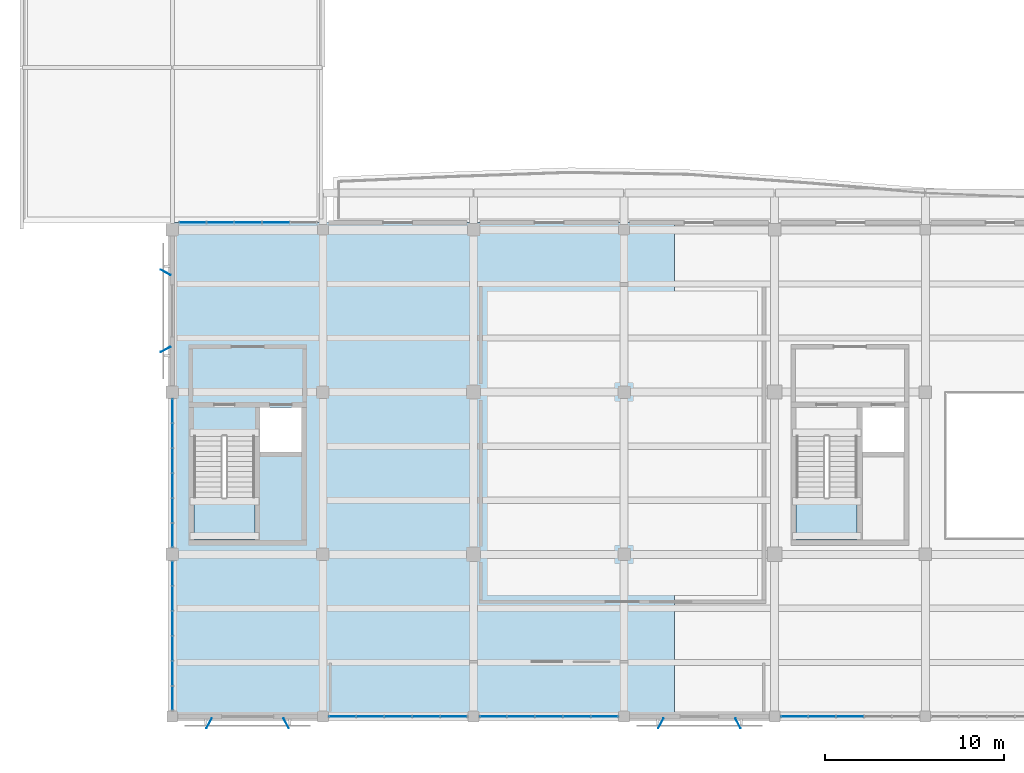
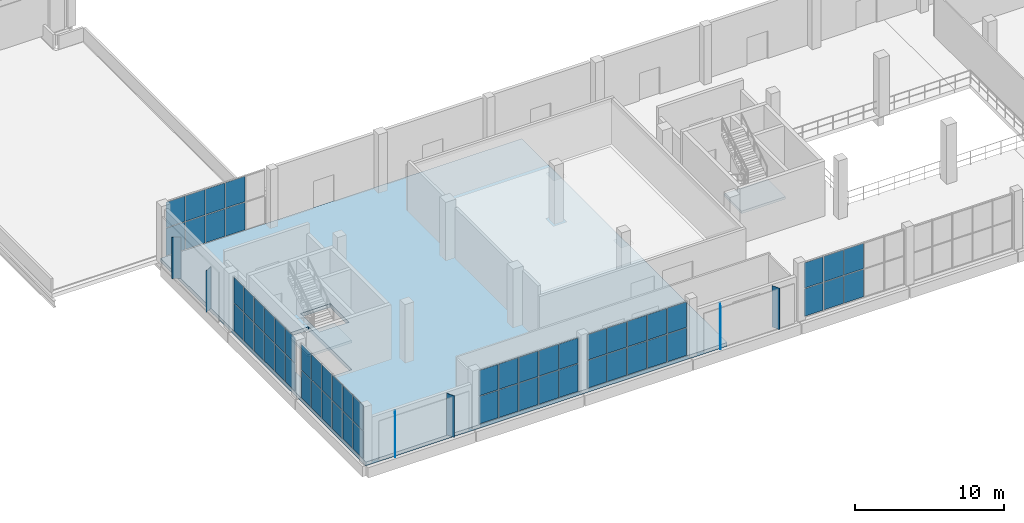
# One storey, part 42 of 80: 64 plates, 3 slabs, 8 elements without a shape of their own.
"""IFC4 building model written with IfcOpenShell, lengths in metres."""

from ifc_helpers import new_model, si_unit, direction, frame, origin, origin_2d, place, context, subcontext, project, spatial, polyline, rectangle, outline, extrude, material, layer, layer_set, type_object, element, aggregate, save


model = new_model("IFC4")

# Units and contexts
model_context = context("Model", 3, precision=1e-05, world=origin(), true_north=direction((0.0, 1.0)))
body_context = subcontext(model_context, "Body", "Model", "MODEL_VIEW")
ifc_project = project(units=[si_unit("LENGTHUNIT", "METRE"), si_unit("AREAUNIT", "SQUARE_METRE"), si_unit("VOLUMEUNIT", "CUBIC_METRE"), si_unit("PLANEANGLEUNIT", "RADIAN"), si_unit("MASSUNIT", "GRAM", prefix="KILO")], contexts=[model_context])

# Site, building, storey
site_placement = place(None, origin())
site = spatial("IfcSite", under=ifc_project, at=site_placement, CompositionType="ELEMENT")
building_placement = place(site_placement, origin())
building = spatial("IfcBuilding", under=site, at=building_placement, Name="Khurvash Pelagic Aquarium", CompositionType="ELEMENT")
storey_placement = place(building_placement, frame((0.0, 0.0, 10.800048828125)))
storey = spatial("IfcBuildingStorey", under=building, at=storey_placement, Name="L02", CompositionType="ELEMENT", Elevation=10.800048828125)

# Curtain wall, plates
ifc_material_1 = material(Name="Anodised aluminium and low-E laminated glass", Category="aluminium")
curtain_wall_type_1 = type_object("IfcCurtainWallType", Name="CW-03", PredefinedType="USERDEFINED", material=ifc_material_1)
curtain_wall_1_placement = place(storey_placement, origin())
curtain_wall_1 = element("IfcCurtainWall", 1, at=curtain_wall_1_placement, inside=storey, type_object=curtain_wall_type_1, Name="L02 Facade Unitised Curtain Wall CW-03 0149", ObjectType="UNITISED CURTAIN WALL", PredefinedType="USERDEFINED")
ifc_material_2 = material(Name="Low-E laminated double glazing", Category="glass")
ifc_layer_1 = layer(ifc_material_2, 0.028076171875)
ifc_layer_set_1 = layer_set([ifc_layer_1], Name="Low-E laminated double glazing")
plate_type_1 = type_object("IfcPlateType", Name="CG-03", PredefinedType="CURTAIN_PANEL", material=ifc_layer_set_1)
plate_1_placement = place(storey_placement, frame((25.199951171875, 19.635009765625, 0.06005859375), z_axis=(0.0, 0.0, 1.0), x_axis=(0.0, -1.0, 0.0)))
plate_1 = element("IfcPlate", 2, at=plate_1_placement, type_object=plate_type_1, Name="CW-03 panel 1.1", PredefinedType="CURTAIN_PANEL", context=body_context, shape_type="SweptSolid", body=[
    extrude(rectangle(XDim=1.300048828125, YDim=0.028076171875, at=origin_2d()), origin(), (0.0, 0.0, 1.0), 2.25),
])
plate_2_placement = place(storey_placement, frame((25.199951171875, 19.635009765625, 2.3701171875), z_axis=(0.0, 0.0, 1.0), x_axis=(0.0, -1.0, 0.0)))
plate_2 = element("IfcPlate", 3, at=plate_2_placement, type_object=plate_type_1, Name="CW-03 panel 1.2", PredefinedType="CURTAIN_PANEL", context=body_context, shape_type="SweptSolid", body=[
    extrude(rectangle(XDim=1.300048828125, YDim=0.028076171875, at=origin_2d()), origin(), (0.0, 0.0, 1.0), 2.070068359375),
])
plate_3_placement = place(storey_placement, frame((25.199951171875, 18.260009765625, 0.06005859375), z_axis=(0.0, 0.0, 1.0), x_axis=(0.0, -1.0, 0.0)))
plate_3 = element("IfcPlate", 4, at=plate_3_placement, type_object=plate_type_1, Name="CW-03 panel 2.1", PredefinedType="CURTAIN_PANEL", context=body_context, shape_type="SweptSolid", body=[
    extrude(rectangle(XDim=1.330078125, YDim=0.028076171875, at=origin_2d()), origin(), (0.0, 0.0, 1.0), 2.25),
])
plate_4_placement = place(storey_placement, frame((25.199951171875, 18.260009765625, 2.3701171875), z_axis=(0.0, 0.0, 1.0), x_axis=(0.0, -1.0, 0.0)))
plate_4 = element("IfcPlate", 5, at=plate_4_placement, type_object=plate_type_1, Name="CW-03 panel 2.2", PredefinedType="CURTAIN_PANEL", context=body_context, shape_type="SweptSolid", body=[
    extrude(rectangle(XDim=1.330078125, YDim=0.028076171875, at=origin_2d()), origin(), (0.0, 0.0, 1.0), 2.070068359375),
])
plate_5_placement = place(storey_placement, frame((25.199951171875, 16.8701171875, 0.06005859375), z_axis=(0.0, 0.0, 1.0), x_axis=(0.0, -1.0, 0.0)))
plate_5 = element("IfcPlate", 6, at=plate_5_placement, type_object=plate_type_1, Name="CW-03 panel 3.1", PredefinedType="CURTAIN_PANEL", context=body_context, shape_type="SweptSolid", body=[
    extrude(rectangle(XDim=1.330078125, YDim=0.028076171875, at=origin_2d()), origin(), (0.0, 0.0, 1.0), 2.25),
])
plate_6_placement = place(storey_placement, frame((25.199951171875, 16.8701171875, 2.3701171875), z_axis=(0.0, 0.0, 1.0), x_axis=(0.0, -1.0, 0.0)))
plate_6 = element("IfcPlate", 7, at=plate_6_placement, type_object=plate_type_1, Name="CW-03 panel 3.2", PredefinedType="CURTAIN_PANEL", context=body_context, shape_type="SweptSolid", body=[
    extrude(rectangle(XDim=1.330078125, YDim=0.028076171875, at=origin_2d()), origin(), (0.0, 0.0, 1.0), 2.070068359375),
])
plate_7_placement = place(storey_placement, frame((25.199951171875, 15.47998046875, 0.06005859375), z_axis=(0.0, 0.0, 1.0), x_axis=(0.0, -1.0, 0.0)))
plate_7 = element("IfcPlate", 8, at=plate_7_placement, type_object=plate_type_1, Name="CW-03 panel 4.1", PredefinedType="CURTAIN_PANEL", context=body_context, shape_type="SweptSolid", body=[
    extrude(rectangle(XDim=1.330078125, YDim=0.028076171875, at=origin_2d()), origin(), (0.0, 0.0, 1.0), 2.25),
])
plate_8_placement = place(storey_placement, frame((25.199951171875, 15.47998046875, 2.3701171875), z_axis=(0.0, 0.0, 1.0), x_axis=(0.0, -1.0, 0.0)))
plate_8 = element("IfcPlate", 9, at=plate_8_placement, type_object=plate_type_1, Name="CW-03 panel 4.2", PredefinedType="CURTAIN_PANEL", context=body_context, shape_type="SweptSolid", body=[
    extrude(rectangle(XDim=1.330078125, YDim=0.028076171875, at=origin_2d()), origin(), (0.0, 0.0, 1.0), 2.070068359375),
])
plate_9_placement = place(storey_placement, frame((25.199951171875, 14.090087890625, 0.06005859375), z_axis=(0.0, 0.0, 1.0), x_axis=(0.0, -1.0, 0.0)))
plate_9 = element("IfcPlate", 10, at=plate_9_placement, type_object=plate_type_1, Name="CW-03 panel 5.1", PredefinedType="CURTAIN_PANEL", context=body_context, shape_type="SweptSolid", body=[
    extrude(rectangle(XDim=1.330078125, YDim=0.028076171875, at=origin_2d()), origin(), (0.0, 0.0, 1.0), 2.25),
])
plate_10_placement = place(storey_placement, frame((25.199951171875, 14.090087890625, 2.3701171875), z_axis=(0.0, 0.0, 1.0), x_axis=(0.0, -1.0, 0.0)))
plate_10 = element("IfcPlate", 11, at=plate_10_placement, type_object=plate_type_1, Name="CW-03 panel 5.2", PredefinedType="CURTAIN_PANEL", context=body_context, shape_type="SweptSolid", body=[
    extrude(rectangle(XDim=1.330078125, YDim=0.028076171875, at=origin_2d()), origin(), (0.0, 0.0, 1.0), 2.070068359375),
])
plate_11_placement = place(storey_placement, frame((25.199951171875, 12.715087890625, 0.06005859375), z_axis=(0.0, 0.0, 1.0), x_axis=(0.0, -1.0, 0.0)))
plate_11 = element("IfcPlate", 12, at=plate_11_placement, type_object=plate_type_1, Name="CW-03 panel 6.1", PredefinedType="CURTAIN_PANEL", context=body_context, shape_type="SweptSolid", body=[
    extrude(rectangle(XDim=1.300048828125, YDim=0.028076171875, at=origin_2d()), origin(), (0.0, 0.0, 1.0), 2.25),
])
plate_12_placement = place(storey_placement, frame((25.199951171875, 12.715087890625, 2.3701171875), z_axis=(0.0, 0.0, 1.0), x_axis=(0.0, -1.0, 0.0)))
plate_12 = element("IfcPlate", 13, at=plate_12_placement, type_object=plate_type_1, Name="CW-03 panel 6.2", PredefinedType="CURTAIN_PANEL", context=body_context, shape_type="SweptSolid", body=[
    extrude(rectangle(XDim=1.300048828125, YDim=0.028076171875, at=origin_2d()), origin(), (0.0, 0.0, 1.0), 2.070068359375),
])
aggregate(curtain_wall_1, [plate_1, plate_2, plate_3, plate_4, plate_5, plate_6, plate_7, plate_8, plate_9, plate_10, plate_11, plate_12])

curtain_wall_2_placement = place(storey_placement, origin())
curtain_wall_2 = element("IfcCurtainWall", 14, at=curtain_wall_2_placement, inside=storey, type_object=curtain_wall_type_1, Name="L02 Facade Unitised Curtain Wall CW-03 0150", ObjectType="UNITISED CURTAIN WALL", PredefinedType="USERDEFINED")
plate_13_placement = place(storey_placement, frame((25.199951171875, 10.580810546875, 0.06005859375), z_axis=(0.0, 0.0, 1.0), x_axis=(0.0, -1.0, 0.0)))
plate_13 = element("IfcPlate", 15, at=plate_13_placement, type_object=plate_type_1, Name="CW-03 panel 1.1", PredefinedType="CURTAIN_PANEL", context=body_context, shape_type="SweptSolid", body=[
    extrude(rectangle(XDim=1.308349609375, YDim=0.028076171875, at=origin_2d()), origin(), (0.0, 0.0, 1.0), 2.25),
])
plate_14_placement = place(storey_placement, frame((25.199951171875, 10.580810546875, 2.3701171875), z_axis=(0.0, 0.0, 1.0), x_axis=(0.0, -1.0, 0.0)))
plate_14 = element("IfcPlate", 16, at=plate_14_placement, type_object=plate_type_1, Name="CW-03 panel 1.2", PredefinedType="CURTAIN_PANEL", context=body_context, shape_type="SweptSolid", body=[
    extrude(rectangle(XDim=1.308349609375, YDim=0.028076171875, at=origin_2d()), origin(), (0.0, 0.0, 1.0), 2.070068359375),
])
plate_15_placement = place(storey_placement, frame((25.199951171875, 9.197509765625, 0.06005859375), z_axis=(0.0, 0.0, 1.0), x_axis=(0.0, -1.0, 0.0)))
plate_15 = element("IfcPlate", 17, at=plate_15_placement, type_object=plate_type_1, Name="CW-03 panel 2.1", PredefinedType="CURTAIN_PANEL", context=body_context, shape_type="SweptSolid", body=[
    extrude(rectangle(XDim=1.33837890625, YDim=0.028076171875, at=origin_2d()), origin(), (0.0, 0.0, 1.0), 2.25),
])
plate_16_placement = place(storey_placement, frame((25.199951171875, 9.197509765625, 2.3701171875), z_axis=(0.0, 0.0, 1.0), x_axis=(0.0, -1.0, 0.0)))
plate_16 = element("IfcPlate", 18, at=plate_16_placement, type_object=plate_type_1, Name="CW-03 panel 2.2", PredefinedType="CURTAIN_PANEL", context=body_context, shape_type="SweptSolid", body=[
    extrude(rectangle(XDim=1.33837890625, YDim=0.028076171875, at=origin_2d()), origin(), (0.0, 0.0, 1.0), 2.070068359375),
])
plate_17_placement = place(storey_placement, frame((25.199951171875, 7.799072265625, 0.06005859375), z_axis=(0.0, 0.0, 1.0), x_axis=(0.0, -1.0, 0.0)))
plate_17 = element("IfcPlate", 19, at=plate_17_placement, type_object=plate_type_1, Name="CW-03 panel 3.1", PredefinedType="CURTAIN_PANEL", context=body_context, shape_type="SweptSolid", body=[
    extrude(rectangle(XDim=1.33837890625, YDim=0.028076171875, at=origin_2d()), origin(), (0.0, 0.0, 1.0), 2.25),
])
plate_18_placement = place(storey_placement, frame((25.199951171875, 7.799072265625, 2.3701171875), z_axis=(0.0, 0.0, 1.0), x_axis=(0.0, -1.0, 0.0)))
plate_18 = element("IfcPlate", 20, at=plate_18_placement, type_object=plate_type_1, Name="CW-03 panel 3.2", PredefinedType="CURTAIN_PANEL", context=body_context, shape_type="SweptSolid", body=[
    extrude(rectangle(XDim=1.33837890625, YDim=0.028076171875, at=origin_2d()), origin(), (0.0, 0.0, 1.0), 2.070068359375),
])
plate_19_placement = place(storey_placement, frame((25.199951171875, 6.40087890625, 0.06005859375), z_axis=(0.0, 0.0, 1.0), x_axis=(0.0, -1.0, 0.0)))
plate_19 = element("IfcPlate", 21, at=plate_19_placement, type_object=plate_type_1, Name="CW-03 panel 4.1", PredefinedType="CURTAIN_PANEL", context=body_context, shape_type="SweptSolid", body=[
    extrude(rectangle(XDim=1.33837890625, YDim=0.028076171875, at=origin_2d()), origin(), (0.0, 0.0, 1.0), 2.25),
])
plate_20_placement = place(storey_placement, frame((25.199951171875, 6.40087890625, 2.3701171875), z_axis=(0.0, 0.0, 1.0), x_axis=(0.0, -1.0, 0.0)))
plate_20 = element("IfcPlate", 22, at=plate_20_placement, type_object=plate_type_1, Name="CW-03 panel 4.2", PredefinedType="CURTAIN_PANEL", context=body_context, shape_type="SweptSolid", body=[
    extrude(rectangle(XDim=1.33837890625, YDim=0.028076171875, at=origin_2d()), origin(), (0.0, 0.0, 1.0), 2.070068359375),
])
plate_21_placement = place(storey_placement, frame((25.199951171875, 5.00244140625, 0.06005859375), z_axis=(0.0, 0.0, 1.0), x_axis=(0.0, -1.0, 0.0)))
plate_21 = element("IfcPlate", 23, at=plate_21_placement, type_object=plate_type_1, Name="CW-03 panel 5.1", PredefinedType="CURTAIN_PANEL", context=body_context, shape_type="SweptSolid", body=[
    extrude(rectangle(XDim=1.33837890625, YDim=0.028076171875, at=origin_2d()), origin(), (0.0, 0.0, 1.0), 2.25),
])
plate_22_placement = place(storey_placement, frame((25.199951171875, 5.00244140625, 2.3701171875), z_axis=(0.0, 0.0, 1.0), x_axis=(0.0, -1.0, 0.0)))
plate_22 = element("IfcPlate", 24, at=plate_22_placement, type_object=plate_type_1, Name="CW-03 panel 5.2", PredefinedType="CURTAIN_PANEL", context=body_context, shape_type="SweptSolid", body=[
    extrude(rectangle(XDim=1.33837890625, YDim=0.028076171875, at=origin_2d()), origin(), (0.0, 0.0, 1.0), 2.070068359375),
])
plate_23_placement = place(storey_placement, frame((25.199951171875, 3.619140625, 0.06005859375), z_axis=(0.0, 0.0, 1.0), x_axis=(0.0, -1.0, 0.0)))
plate_23 = element("IfcPlate", 25, at=plate_23_placement, type_object=plate_type_1, Name="CW-03 panel 6.1", PredefinedType="CURTAIN_PANEL", context=body_context, shape_type="SweptSolid", body=[
    extrude(rectangle(XDim=1.308349609375, YDim=0.028076171875, at=origin_2d()), origin(), (0.0, 0.0, 1.0), 2.25),
])
plate_24_placement = place(storey_placement, frame((25.199951171875, 3.619140625, 2.3701171875), z_axis=(0.0, 0.0, 1.0), x_axis=(0.0, -1.0, 0.0)))
plate_24 = element("IfcPlate", 26, at=plate_24_placement, type_object=plate_type_1, Name="CW-03 panel 6.2", PredefinedType="CURTAIN_PANEL", context=body_context, shape_type="SweptSolid", body=[
    extrude(rectangle(XDim=1.308349609375, YDim=0.028076171875, at=origin_2d()), origin(), (0.0, 0.0, 1.0), 2.070068359375),
])
aggregate(curtain_wall_2, [plate_13, plate_14, plate_15, plate_16, plate_17, plate_18, plate_19, plate_20, plate_21, plate_22, plate_23, plate_24])

curtain_wall_type_2 = type_object("IfcCurtainWallType", Name="CW-06", PredefinedType="USERDEFINED", material=ifc_material_1)
curtain_wall_3_placement = place(storey_placement, origin())
curtain_wall_3 = element("IfcCurtainWall", 27, at=curtain_wall_3_placement, inside=storey, type_object=curtain_wall_type_2, Name="L02 Facade Unitised Curtain Wall CW-06 0151", ObjectType="UNITISED CURTAIN WALL", PredefinedType="USERDEFINED")
ifc_layer_2 = layer(ifc_material_2, 0.030029296875)
ifc_layer_set_2 = layer_set([ifc_layer_2], Name="Low-E laminated double glazing")
plate_type_2 = type_object("IfcPlateType", Name="CG-06", PredefinedType="CURTAIN_PANEL", material=ifc_layer_set_2)
plate_25_placement = place(storey_placement, frame((34.698974609375, 2.60009765625, 0.06005859375), z_axis=(0.0, 0.0, 1.0), x_axis=(1.0, 0.0, 0.0)))
plate_25 = element("IfcPlate", 28, at=plate_25_placement, type_object=plate_type_2, Name="CW-06 panel 1.1", PredefinedType="CURTAIN_PANEL", context=body_context, shape_type="SweptSolid", body=[
    extrude(rectangle(XDim=1.468017578125, YDim=0.030029296875, at=origin_2d()), origin(), (0.0, 0.0, 1.0), 2.25),
])
plate_26_placement = place(storey_placement, frame((34.698974609375, 2.60009765625, 2.3701171875), z_axis=(0.0, 0.0, 1.0), x_axis=(1.0, 0.0, 0.0)))
plate_26 = element("IfcPlate", 29, at=plate_26_placement, type_object=plate_type_2, Name="CW-06 panel 1.2", PredefinedType="CURTAIN_PANEL", context=body_context, shape_type="SweptSolid", body=[
    extrude(rectangle(XDim=1.468017578125, YDim=0.030029296875, at=origin_2d()), origin(), (0.0, 0.0, 1.0), 2.070068359375),
])
plate_27_placement = place(storey_placement, frame((36.241943359375, 2.60009765625, 0.06005859375), z_axis=(0.0, 0.0, 1.0), x_axis=(1.0, 0.0, 0.0)))
plate_27 = element("IfcPlate", 30, at=plate_27_placement, type_object=plate_type_2, Name="CW-06 panel 2.1", PredefinedType="CURTAIN_PANEL", context=body_context, shape_type="SweptSolid", body=[
    extrude(rectangle(XDim=1.498046875, YDim=0.030029296875, at=origin_2d()), origin(), (0.0, 0.0, 1.0), 2.25),
])
plate_28_placement = place(storey_placement, frame((36.241943359375, 2.60009765625, 2.3701171875), z_axis=(0.0, 0.0, 1.0), x_axis=(1.0, 0.0, 0.0)))
plate_28 = element("IfcPlate", 31, at=plate_28_placement, type_object=plate_type_2, Name="CW-06 panel 2.2", PredefinedType="CURTAIN_PANEL", context=body_context, shape_type="SweptSolid", body=[
    extrude(rectangle(XDim=1.498046875, YDim=0.030029296875, at=origin_2d()), origin(), (0.0, 0.0, 1.0), 2.070068359375),
])
plate_29_placement = place(storey_placement, frame((37.800048828125, 2.60009765625, 0.06005859375), z_axis=(0.0, 0.0, 1.0), x_axis=(1.0, 0.0, 0.0)))
plate_29 = element("IfcPlate", 32, at=plate_29_placement, type_object=plate_type_2, Name="CW-06 panel 3.1", PredefinedType="CURTAIN_PANEL", context=body_context, shape_type="SweptSolid", body=[
    extrude(rectangle(XDim=1.498046875, YDim=0.030029296875, at=origin_2d()), origin(), (0.0, 0.0, 1.0), 2.25),
])
plate_30_placement = place(storey_placement, frame((37.800048828125, 2.60009765625, 2.3701171875), z_axis=(0.0, 0.0, 1.0), x_axis=(1.0, 0.0, 0.0)))
plate_30 = element("IfcPlate", 33, at=plate_30_placement, type_object=plate_type_2, Name="CW-06 panel 3.2", PredefinedType="CURTAIN_PANEL", context=body_context, shape_type="SweptSolid", body=[
    extrude(rectangle(XDim=1.498046875, YDim=0.030029296875, at=origin_2d()), origin(), (0.0, 0.0, 1.0), 2.070068359375),
])
plate_31_placement = place(storey_placement, frame((39.35791015625, 2.60009765625, 0.06005859375), z_axis=(0.0, 0.0, 1.0), x_axis=(1.0, 0.0, 0.0)))
plate_31 = element("IfcPlate", 34, at=plate_31_placement, type_object=plate_type_2, Name="CW-06 panel 4.1", PredefinedType="CURTAIN_PANEL", context=body_context, shape_type="SweptSolid", body=[
    extrude(rectangle(XDim=1.498046875, YDim=0.030029296875, at=origin_2d()), origin(), (0.0, 0.0, 1.0), 2.25),
])
plate_32_placement = place(storey_placement, frame((39.35791015625, 2.60009765625, 2.3701171875), z_axis=(0.0, 0.0, 1.0), x_axis=(1.0, 0.0, 0.0)))
plate_32 = element("IfcPlate", 35, at=plate_32_placement, type_object=plate_type_2, Name="CW-06 panel 4.2", PredefinedType="CURTAIN_PANEL", context=body_context, shape_type="SweptSolid", body=[
    extrude(rectangle(XDim=1.498046875, YDim=0.030029296875, at=origin_2d()), origin(), (0.0, 0.0, 1.0), 2.070068359375),
])
plate_33_placement = place(storey_placement, frame((40.90087890625, 2.60009765625, 0.06005859375), z_axis=(0.0, 0.0, 1.0), x_axis=(1.0, 0.0, 0.0)))
plate_33 = element("IfcPlate", 36, at=plate_33_placement, type_object=plate_type_2, Name="CW-06 panel 5.1", PredefinedType="CURTAIN_PANEL", context=body_context, shape_type="SweptSolid", body=[
    extrude(rectangle(XDim=1.468017578125, YDim=0.030029296875, at=origin_2d()), origin(), (0.0, 0.0, 1.0), 2.25),
])
plate_34_placement = place(storey_placement, frame((40.90087890625, 2.60009765625, 2.3701171875), z_axis=(0.0, 0.0, 1.0), x_axis=(1.0, 0.0, 0.0)))
plate_34 = element("IfcPlate", 37, at=plate_34_placement, type_object=plate_type_2, Name="CW-06 panel 5.2", PredefinedType="CURTAIN_PANEL", context=body_context, shape_type="SweptSolid", body=[
    extrude(rectangle(XDim=1.468017578125, YDim=0.030029296875, at=origin_2d()), origin(), (0.0, 0.0, 1.0), 2.070068359375),
])
aggregate(curtain_wall_3, [plate_25, plate_26, plate_27, plate_28, plate_29, plate_30, plate_31, plate_32, plate_33, plate_34])

curtain_wall_4_placement = place(storey_placement, origin())
curtain_wall_4 = element("IfcCurtainWall", 38, at=curtain_wall_4_placement, inside=storey, type_object=curtain_wall_type_2, Name="L02 Facade Unitised Curtain Wall CW-06 0152", ObjectType="UNITISED CURTAIN WALL", PredefinedType="USERDEFINED")
plate_35_placement = place(storey_placement, frame((43.09912109375, 2.60009765625, 0.06005859375), z_axis=(0.0, 0.0, 1.0), x_axis=(1.0, 0.0, 0.0)))
plate_35 = element("IfcPlate", 39, at=plate_35_placement, type_object=plate_type_2, Name="CW-06 panel 1.1", PredefinedType="CURTAIN_PANEL", context=body_context, shape_type="SweptSolid", body=[
    extrude(rectangle(XDim=1.468017578125, YDim=0.030029296875, at=origin_2d()), origin(), (0.0, 0.0, 1.0), 2.25),
])
plate_36_placement = place(storey_placement, frame((43.09912109375, 2.60009765625, 2.3701171875), z_axis=(0.0, 0.0, 1.0), x_axis=(1.0, 0.0, 0.0)))
plate_36 = element("IfcPlate", 40, at=plate_36_placement, type_object=plate_type_2, Name="CW-06 panel 1.2", PredefinedType="CURTAIN_PANEL", context=body_context, shape_type="SweptSolid", body=[
    extrude(rectangle(XDim=1.468017578125, YDim=0.030029296875, at=origin_2d()), origin(), (0.0, 0.0, 1.0), 2.070068359375),
])
plate_37_placement = place(storey_placement, frame((44.64208984375, 2.60009765625, 0.06005859375), z_axis=(0.0, 0.0, 1.0), x_axis=(1.0, 0.0, 0.0)))
plate_37 = element("IfcPlate", 41, at=plate_37_placement, type_object=plate_type_2, Name="CW-06 panel 2.1", PredefinedType="CURTAIN_PANEL", context=body_context, shape_type="SweptSolid", body=[
    extrude(rectangle(XDim=1.498046875, YDim=0.030029296875, at=origin_2d()), origin(), (0.0, 0.0, 1.0), 2.25),
])
plate_38_placement = place(storey_placement, frame((44.64208984375, 2.60009765625, 2.3701171875), z_axis=(0.0, 0.0, 1.0), x_axis=(1.0, 0.0, 0.0)))
plate_38 = element("IfcPlate", 42, at=plate_38_placement, type_object=plate_type_2, Name="CW-06 panel 2.2", PredefinedType="CURTAIN_PANEL", context=body_context, shape_type="SweptSolid", body=[
    extrude(rectangle(XDim=1.498046875, YDim=0.030029296875, at=origin_2d()), origin(), (0.0, 0.0, 1.0), 2.070068359375),
])
plate_39_placement = place(storey_placement, frame((46.199951171875, 2.60009765625, 0.06005859375), z_axis=(0.0, 0.0, 1.0), x_axis=(1.0, 0.0, 0.0)))
plate_39 = element("IfcPlate", 43, at=plate_39_placement, type_object=plate_type_2, Name="CW-06 panel 3.1", PredefinedType="CURTAIN_PANEL", context=body_context, shape_type="SweptSolid", body=[
    extrude(rectangle(XDim=1.498046875, YDim=0.030029296875, at=origin_2d()), origin(), (0.0, 0.0, 1.0), 2.25),
])
plate_40_placement = place(storey_placement, frame((46.199951171875, 2.60009765625, 2.3701171875), z_axis=(0.0, 0.0, 1.0), x_axis=(1.0, 0.0, 0.0)))
plate_40 = element("IfcPlate", 44, at=plate_40_placement, type_object=plate_type_2, Name="CW-06 panel 3.2", PredefinedType="CURTAIN_PANEL", context=body_context, shape_type="SweptSolid", body=[
    extrude(rectangle(XDim=1.498046875, YDim=0.030029296875, at=origin_2d()), origin(), (0.0, 0.0, 1.0), 2.070068359375),
])
plate_41_placement = place(storey_placement, frame((47.758056640625, 2.60009765625, 0.06005859375), z_axis=(0.0, 0.0, 1.0), x_axis=(1.0, 0.0, 0.0)))
plate_41 = element("IfcPlate", 45, at=plate_41_placement, type_object=plate_type_2, Name="CW-06 panel 4.1", PredefinedType="CURTAIN_PANEL", context=body_context, shape_type="SweptSolid", body=[
    extrude(rectangle(XDim=1.498046875, YDim=0.030029296875, at=origin_2d()), origin(), (0.0, 0.0, 1.0), 2.25),
])
plate_42_placement = place(storey_placement, frame((47.758056640625, 2.60009765625, 2.3701171875), z_axis=(0.0, 0.0, 1.0), x_axis=(1.0, 0.0, 0.0)))
plate_42 = element("IfcPlate", 46, at=plate_42_placement, type_object=plate_type_2, Name="CW-06 panel 4.2", PredefinedType="CURTAIN_PANEL", context=body_context, shape_type="SweptSolid", body=[
    extrude(rectangle(XDim=1.498046875, YDim=0.030029296875, at=origin_2d()), origin(), (0.0, 0.0, 1.0), 2.070068359375),
])
plate_43_placement = place(storey_placement, frame((49.301025390625, 2.60009765625, 0.06005859375), z_axis=(0.0, 0.0, 1.0), x_axis=(1.0, 0.0, 0.0)))
plate_43 = element("IfcPlate", 47, at=plate_43_placement, type_object=plate_type_2, Name="CW-06 panel 5.1", PredefinedType="CURTAIN_PANEL", context=body_context, shape_type="SweptSolid", body=[
    extrude(rectangle(XDim=1.468017578125, YDim=0.030029296875, at=origin_2d()), origin(), (0.0, 0.0, 1.0), 2.25),
])
plate_44_placement = place(storey_placement, frame((49.301025390625, 2.60009765625, 2.3701171875), z_axis=(0.0, 0.0, 1.0), x_axis=(1.0, 0.0, 0.0)))
plate_44 = element("IfcPlate", 48, at=plate_44_placement, type_object=plate_type_2, Name="CW-06 panel 5.2", PredefinedType="CURTAIN_PANEL", context=body_context, shape_type="SweptSolid", body=[
    extrude(rectangle(XDim=1.468017578125, YDim=0.030029296875, at=origin_2d()), origin(), (0.0, 0.0, 1.0), 2.070068359375),
])
aggregate(curtain_wall_4, [plate_35, plate_36, plate_37, plate_38, plate_39, plate_40, plate_41, plate_42, plate_43, plate_44])

curtain_wall_5_placement = place(storey_placement, origin())
curtain_wall_5 = element("IfcCurtainWall", 49, at=curtain_wall_5_placement, inside=storey, type_object=curtain_wall_type_2, Name="L02 Facade Unitised Curtain Wall CW-06 0153", ObjectType="UNITISED CURTAIN WALL", PredefinedType="USERDEFINED")
plate_45_placement = place(storey_placement, frame((59.89892578125, 2.60009765625, 0.06005859375), z_axis=(0.0, 0.0, 1.0), x_axis=(1.0, 0.0, 0.0)))
plate_45 = element("IfcPlate", 50, at=plate_45_placement, type_object=plate_type_2, Name="CW-06 panel 1.1", PredefinedType="CURTAIN_PANEL", context=body_context, shape_type="SweptSolid", body=[
    extrude(rectangle(XDim=1.468017578125, YDim=0.030029296875, at=origin_2d()), origin(), (0.0, 0.0, 1.0), 2.25),
])
plate_46_placement = place(storey_placement, frame((59.89892578125, 2.60009765625, 2.3701171875), z_axis=(0.0, 0.0, 1.0), x_axis=(1.0, 0.0, 0.0)))
plate_46 = element("IfcPlate", 51, at=plate_46_placement, type_object=plate_type_2, Name="CW-06 panel 1.2", PredefinedType="CURTAIN_PANEL", context=body_context, shape_type="SweptSolid", body=[
    extrude(rectangle(XDim=1.468017578125, YDim=0.030029296875, at=origin_2d()), origin(), (0.0, 0.0, 1.0), 2.070068359375),
])
plate_47_placement = place(storey_placement, frame((61.44189453125, 2.60009765625, 0.06005859375), z_axis=(0.0, 0.0, 1.0), x_axis=(1.0, 0.0, 0.0)))
plate_47 = element("IfcPlate", 52, at=plate_47_placement, type_object=plate_type_2, Name="CW-06 panel 2.1", PredefinedType="CURTAIN_PANEL", context=body_context, shape_type="SweptSolid", body=[
    extrude(rectangle(XDim=1.498046875, YDim=0.030029296875, at=origin_2d()), origin(), (0.0, 0.0, 1.0), 2.25),
])
plate_48_placement = place(storey_placement, frame((61.44189453125, 2.60009765625, 2.3701171875), z_axis=(0.0, 0.0, 1.0), x_axis=(1.0, 0.0, 0.0)))
plate_48 = element("IfcPlate", 53, at=plate_48_placement, type_object=plate_type_2, Name="CW-06 panel 2.2", PredefinedType="CURTAIN_PANEL", context=body_context, shape_type="SweptSolid", body=[
    extrude(rectangle(XDim=1.498046875, YDim=0.030029296875, at=origin_2d()), origin(), (0.0, 0.0, 1.0), 2.070068359375),
])
plate_49_placement = place(storey_placement, frame((63.0, 2.60009765625, 0.06005859375), z_axis=(0.0, 0.0, 1.0), x_axis=(1.0, 0.0, 0.0)))
plate_49 = element("IfcPlate", 54, at=plate_49_placement, type_object=plate_type_2, Name="CW-06 panel 3.1", PredefinedType="CURTAIN_PANEL", context=body_context, shape_type="SweptSolid", body=[
    extrude(rectangle(XDim=1.498046875, YDim=0.030029296875, at=origin_2d()), origin(), (0.0, 0.0, 1.0), 2.25),
])
plate_50_placement = place(storey_placement, frame((63.0, 2.60009765625, 2.3701171875), z_axis=(0.0, 0.0, 1.0), x_axis=(1.0, 0.0, 0.0)))
plate_50 = element("IfcPlate", 55, at=plate_50_placement, type_object=plate_type_2, Name="CW-06 panel 3.2", PredefinedType="CURTAIN_PANEL", context=body_context, shape_type="SweptSolid", body=[
    extrude(rectangle(XDim=1.498046875, YDim=0.030029296875, at=origin_2d()), origin(), (0.0, 0.0, 1.0), 2.070068359375),
])
aggregate(curtain_wall_5, [plate_45, plate_46, plate_47, plate_48, plate_49, plate_50])

curtain_wall_6_placement = place(storey_placement, origin())
curtain_wall_6 = element("IfcCurtainWall", 56, at=curtain_wall_6_placement, inside=storey, type_object=curtain_wall_type_2, Name="L02 Facade Unitised Curtain Wall CW-06 0160", ObjectType="UNITISED CURTAIN WALL", PredefinedType="USERDEFINED")
plate_51_placement = place(storey_placement, frame((30.972900390625, 30.14990234375, 0.06005859375), z_axis=(0.0, 0.0, 1.0), x_axis=(-1.0, 0.0, 0.0)))
plate_51 = element("IfcPlate", 57, at=plate_51_placement, type_object=plate_type_2, Name="CW-06 panel 2.1", PredefinedType="CURTAIN_PANEL", context=body_context, shape_type="SweptSolid", body=[
    extrude(rectangle(XDim=1.488037109375, YDim=0.030029296875, at=origin_2d()), origin(), (0.0, 0.0, 1.0), 2.25),
])
plate_52_placement = place(storey_placement, frame((30.972900390625, 30.14990234375, 2.3701171875), z_axis=(0.0, 0.0, 1.0), x_axis=(-1.0, 0.0, 0.0)))
plate_52 = element("IfcPlate", 58, at=plate_52_placement, type_object=plate_type_2, Name="CW-06 panel 2.2", PredefinedType="CURTAIN_PANEL", context=body_context, shape_type="SweptSolid", body=[
    extrude(rectangle(XDim=1.488037109375, YDim=0.030029296875, at=origin_2d()), origin(), (0.0, 0.0, 1.0), 2.070068359375),
])
plate_53_placement = place(storey_placement, frame((29.425048828125, 30.14990234375, 0.06005859375), z_axis=(0.0, 0.0, 1.0), x_axis=(-1.0, 0.0, 0.0)))
plate_53 = element("IfcPlate", 59, at=plate_53_placement, type_object=plate_type_2, Name="CW-06 panel 3.1", PredefinedType="CURTAIN_PANEL", context=body_context, shape_type="SweptSolid", body=[
    extrude(rectangle(XDim=1.488037109375, YDim=0.030029296875, at=origin_2d()), origin(), (0.0, 0.0, 1.0), 2.25),
])
plate_54_placement = place(storey_placement, frame((29.425048828125, 30.14990234375, 2.3701171875), z_axis=(0.0, 0.0, 1.0), x_axis=(-1.0, 0.0, 0.0)))
plate_54 = element("IfcPlate", 60, at=plate_54_placement, type_object=plate_type_2, Name="CW-06 panel 3.2", PredefinedType="CURTAIN_PANEL", context=body_context, shape_type="SweptSolid", body=[
    extrude(rectangle(XDim=1.488037109375, YDim=0.030029296875, at=origin_2d()), origin(), (0.0, 0.0, 1.0), 2.070068359375),
])
plate_55_placement = place(storey_placement, frame((27.876953125, 30.14990234375, 0.06005859375), z_axis=(0.0, 0.0, 1.0), x_axis=(-1.0, 0.0, 0.0)))
plate_55 = element("IfcPlate", 61, at=plate_55_placement, type_object=plate_type_2, Name="CW-06 panel 4.1", PredefinedType="CURTAIN_PANEL", context=body_context, shape_type="SweptSolid", body=[
    extrude(rectangle(XDim=1.488037109375, YDim=0.030029296875, at=origin_2d()), origin(), (0.0, 0.0, 1.0), 2.25),
])
plate_56_placement = place(storey_placement, frame((27.876953125, 30.14990234375, 2.3701171875), z_axis=(0.0, 0.0, 1.0), x_axis=(-1.0, 0.0, 0.0)))
plate_56 = element("IfcPlate", 62, at=plate_56_placement, type_object=plate_type_2, Name="CW-06 panel 4.2", PredefinedType="CURTAIN_PANEL", context=body_context, shape_type="SweptSolid", body=[
    extrude(rectangle(XDim=1.488037109375, YDim=0.030029296875, at=origin_2d()), origin(), (0.0, 0.0, 1.0), 2.070068359375),
])
plate_57_placement = place(storey_placement, frame((26.343994140625, 30.14990234375, 0.06005859375), z_axis=(0.0, 0.0, 1.0), x_axis=(-1.0, 0.0, 0.0)))
plate_57 = element("IfcPlate", 63, at=plate_57_placement, type_object=plate_type_2, Name="CW-06 panel 5.1", PredefinedType="CURTAIN_PANEL", context=body_context, shape_type="SweptSolid", body=[
    extrude(rectangle(XDim=1.4580078125, YDim=0.030029296875, at=origin_2d()), origin(), (0.0, 0.0, 1.0), 2.25),
])
plate_58_placement = place(storey_placement, frame((26.343994140625, 30.14990234375, 2.3701171875), z_axis=(0.0, 0.0, 1.0), x_axis=(-1.0, 0.0, 0.0)))
plate_58 = element("IfcPlate", 64, at=plate_58_placement, type_object=plate_type_2, Name="CW-06 panel 5.2", PredefinedType="CURTAIN_PANEL", context=body_context, shape_type="SweptSolid", body=[
    extrude(rectangle(XDim=1.4580078125, YDim=0.030029296875, at=origin_2d()), origin(), (0.0, 0.0, 1.0), 2.070068359375),
])
aggregate(curtain_wall_6, [plate_51, plate_52, plate_53, plate_54, plate_55, plate_56, plate_57, plate_58])

# Slab
ifc_material_3 = material(Name="Concrete C40/50", Category="concrete")
ifc_layer_3 = layer(ifc_material_3, 0.300048828125)
ifc_layer_set_3 = layer_set([ifc_layer_3], Name="Concrete C40/50")
slab_type_1 = type_object("IfcSlabType", Name="FS-300", PredefinedType="FLOOR", material=ifc_layer_set_3)
slab_1_placement = place(storey_placement, frame((0.0, 0.0, -0.300048828125)))
element("IfcSlab", 65, at=slab_1_placement, inside=storey, type_object=slab_type_1, Name="L02 Structural Floor Slab FS-300 V3_SOUTH.1", PredefinedType="FLOOR", context=body_context, shape_type="SweptSolid", body=[
    extrude(outline(polyline([(25.199951171875, 2.60009765625), (53.199951171875, 2.60009765625), (53.199951171875, 30.14990234375), (25.199951171875, 30.14990234375), (25.199951171875, 2.60009765625)]), holes=[polyline([(28.0, 18.25), (29.800048828125, 18.25), (29.800048828125, 12.449951171875), (26.39990234375, 12.449951171875), (26.39990234375, 17.8701171875), (28.0, 17.8701171875), (28.0, 18.25)]), polyline([(32.39990234375, 17.35009765625), (30.10009765625, 17.35009765625), (30.10009765625, 19.85009765625), (32.39990234375, 19.85009765625), (32.39990234375, 17.35009765625)])]), origin(), (0.0, 0.0, 1.0), 0.300048828125),
])

# Stair, slab
ifc_material_4 = material(Name="Concrete C35/45", Category="concrete")
stair_type_1 = type_object("IfcStairType", Name="ST-01", PredefinedType="HALF_TURN_STAIR", material=ifc_material_4)
stair_1_placement = place(storey_placement, origin())
stair_1 = element("IfcStair", 66, at=stair_1_placement, inside=storey, type_object=stair_type_1, Name="L02 Protected Exit Stair ST-01", PredefinedType="HALF_TURN_STAIR")
ifc_layer_4 = layer(ifc_material_4, 0.199951171875)
ifc_layer_set_4 = layer_set([ifc_layer_4], Name="Concrete C35/45")
slab_type_2 = type_object("IfcSlabType", Name="SL-LND-200", PredefinedType="LANDING", material=ifc_layer_set_4)
slab_2_placement = place(storey_placement, frame((0.0, 0.0, 2.199951171875)))
slab_2 = element("IfcSlab", 67, at=slab_2_placement, type_object=slab_type_2, Name="ST-01 landing 1", PredefinedType="LANDING", context=body_context, shape_type="SweptSolid", body=[
    extrude(outline(polyline([(26.39990234375, 14.830078125), (26.39990234375, 12.449951171875), (29.800048828125, 12.449951171875), (29.800048828125, 14.830078125), (26.39990234375, 14.830078125)])), origin(), (0.0, 0.0, 1.0), 0.199951171875),
])
aggregate(stair_1, [slab_2])

stair_type_2 = type_object("IfcStairType", Name="ST-02", PredefinedType="HALF_TURN_STAIR", material=ifc_material_4)
stair_2_placement = place(storey_placement, origin())
stair_2 = element("IfcStair", 68, at=stair_2_placement, inside=storey, type_object=stair_type_2, Name="L02 Protected Exit Stair ST-02", PredefinedType="HALF_TURN_STAIR")
slab_3_placement = place(storey_placement, frame((0.0, 0.0, 2.199951171875)))
slab_3 = element("IfcSlab", 69, at=slab_3_placement, type_object=slab_type_2, Name="ST-02 landing 1", PredefinedType="LANDING", context=body_context, shape_type="SweptSolid", body=[
    extrude(outline(polyline([(60.0, 14.830078125), (60.0, 12.449951171875), (63.39990234375, 12.449951171875), (63.39990234375, 14.830078125), (60.0, 14.830078125)])), origin(), (0.0, 0.0, 1.0), 0.199951171875),
])
aggregate(stair_2, [slab_3])

# Plates
ifc_material_5 = material(Name="Anodised aluminium AW-5005", Category="aluminium")
ifc_layer_5 = layer(ifc_material_5, 0.02392578125)
ifc_layer_set_5 = layer_set([ifc_layer_5], Name="Anodised aluminium AW-5005")
plate_type_3 = type_object("IfcPlateType", Name="SP-01", PredefinedType="SHEET", material=ifc_layer_set_5)
for number, where, z_axis, x_axis, name in (
    (70, (24.822021484375, 27.375, 0.14990234375), (0.0, 0.0, 1.0), (-0.882947592859, 0.469471562786, 0.0), "L02 Parametric Folded Aluminium Solar Screen Fin SP-01 0023"),
    (71, (24.822021484375, 23.074951171875, 0.14990234375), (0.0, 0.0, 1.0), (-0.882947592859, -0.469471562786, 0.0), "L02 Parametric Folded Aluminium Solar Screen Fin SP-01 0024"),
    (72, (27.25, 2.221923828125, 0.14990234375), (0.0, 0.0, 1.0), (-0.469471562786, -0.882947592859, 0.0), "L02 Parametric Folded Aluminium Solar Screen Fin SP-01 0025"),
    (73, (31.550048828125, 2.221923828125, 0.14990234375), (0.0, 0.0, 1.0), (0.469471562786, -0.882947592859, 0.0), "L02 Parametric Folded Aluminium Solar Screen Fin SP-01 0026"),
    (74, (52.449951171875, 2.221923828125, 0.14990234375), (0.0, 0.0, 1.0), (-0.469471562786, -0.882947592859, 0.0), "L02 Parametric Folded Aluminium Solar Screen Fin SP-01 0027"),
    (75, (56.75, 2.221923828125, 0.14990234375), (0.0, 0.0, 1.0), (0.469471562786, -0.882947592859, 0.0), "L02 Parametric Folded Aluminium Solar Screen Fin SP-01 0028"),
):
    element("IfcPlate", number, at=place(storey_placement, frame(where, z_axis=z_axis, x_axis=x_axis)), inside=storey, type_object=plate_type_3, Name=name, PredefinedType="SHEET", context=body_context, shape_type="SweptSolid", body=[
        extrude(rectangle(XDim=0.6201171875, YDim=0.02392578125, at=origin_2d()), origin(), (0.0, 0.0, 1.0), 3.39990234375),
    ])

save(model, "model.ifc")
